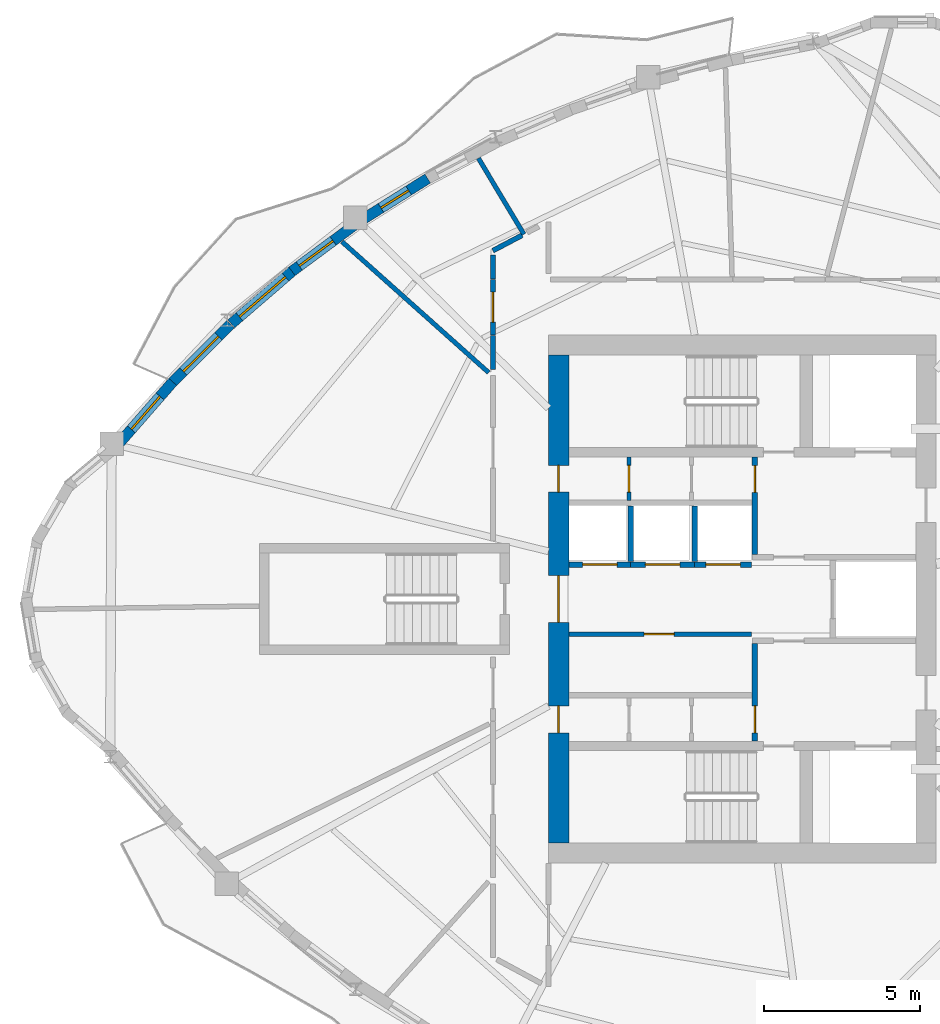
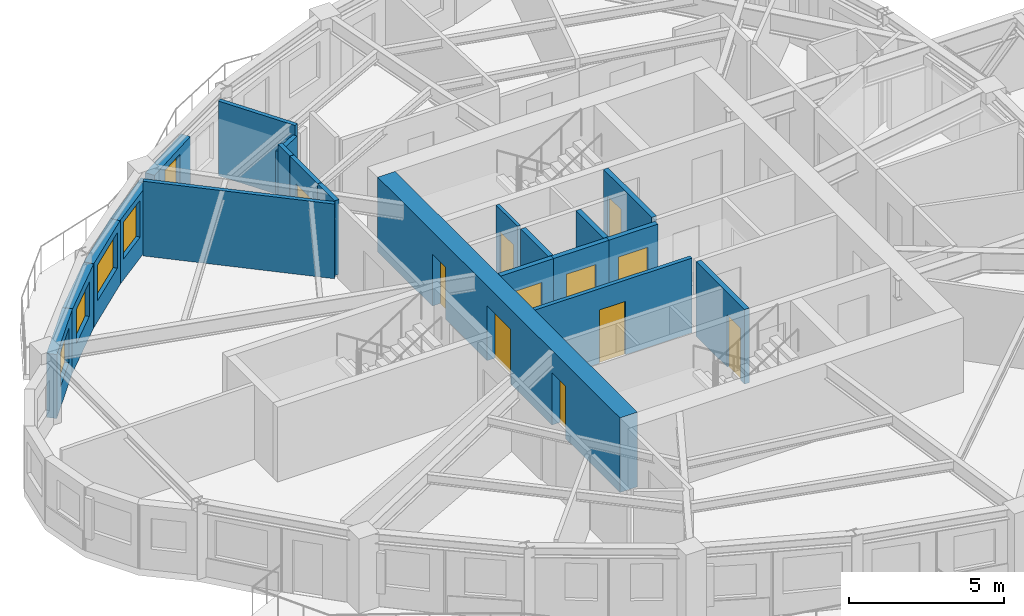
# One storey, part 6 of 13: 21 walls, 11 doors, 5 windows, 16 openings.
"""IFC4 building model written with IfcOpenShell, lengths in metres."""

from ifc_helpers import new_model, si_unit, direction, frame, frame_2d, origin, place, context, subcontext, project, spatial, rectangle, extrude, source, transform, mapped, material, layer, layer_set, type_object, element, fill, save


model = new_model("IFC4")

# Units and contexts
model_context = context("Model", 3, precision=1e-05, world=origin(), true_north=direction((0.0, 1.0)))
body_context = subcontext(model_context, "Body", "Model", "MODEL_VIEW")
ifc_project = project(units=[si_unit("LENGTHUNIT", "METRE"), si_unit("AREAUNIT", "SQUARE_METRE"), si_unit("VOLUMEUNIT", "CUBIC_METRE"), si_unit("PLANEANGLEUNIT", "RADIAN"), si_unit("MASSUNIT", "GRAM", prefix="KILO")], contexts=[model_context])

# Site, building, storey
site_placement = place(None, origin())
site = spatial("IfcSite", under=ifc_project, at=site_placement, CompositionType="ELEMENT")
building_placement = place(site_placement, origin())
building = spatial("IfcBuilding", under=site, at=building_placement, Name="Qafzar Sky-Pleat Residences", CompositionType="ELEMENT")
storey_placement = place(building_placement, frame((0.0, 0.0, 152.199951171875)))
storey = spatial("IfcBuildingStorey", under=building, at=storey_placement, Name="L45", CompositionType="ELEMENT", Elevation=152.199951171875)

# Wall, opening, door
ifc_material_1 = material(Name="Acoustic gypsum plasterboard partition", Category="gypsum")
ifc_layer_1 = layer(ifc_material_1, 0.159912109375)
ifc_layer_set_1 = layer_set([ifc_layer_1], Name="Acoustic gypsum plasterboard partition")
wall_type_1 = type_object("IfcWallType", Name="PART-COR-160", PredefinedType="PARTITIONING", material=ifc_layer_set_1)
wall_1_placement = place(storey_placement, frame((22.3701171875, 34.449951171875, 0.0), z_axis=(0.0, 0.0, 1.0), x_axis=(0.0, 1.0, 0.0)))
wall_1 = element("IfcWall", 1, at=wall_1_placement, inside=storey, type_object=wall_type_1, Name="L45 Partition Wall PART-L45-PW-015", PredefinedType="PARTITIONING", context=body_context, shape_type="SweptSolid", body=[
    extrude(rectangle(XDim=1.780029296875, YDim=0.159912109375, at=frame_2d((0.89013671875, 0.0))), origin(), (0.0, 0.0, 1.0), 2.93505859375),
])
opening_1_placement = place(wall_1_placement, frame((0.409912109375, 0.0, 0.0)))
opening_1 = element("IfcOpeningElement", 2, at=opening_1_placement, cuts=wall_1, Name="Opening ID-06", PredefinedType="OPENING", context=body_context, shape_type="SweptSolid", body=[
    extrude(rectangle(XDim=0.9599609375, YDim=2.10009765625, at=frame_2d((0.47998046875, 1.050048828125))), frame((0.0, 0.08984375, 0.0), z_axis=(0.0, -1.0, 0.0), x_axis=(1.0, 0.0, 0.0)), (0.0, 0.0, 1.0), 0.179931640625),
])
ifc_material_2 = material(Name="Timber-faced fire door", Category="wood")
door_type_1 = type_object("IfcDoorType", Name="DR-STD-960", OperationType="NOTDEFINED", PredefinedType="DOOR", material=ifc_material_2)
shared_shape_1 = source(origin(), body_context, "Body", "SweptSolid", [
    extrude(rectangle(XDim=0.9599609375, YDim=2.10009765625, at=frame_2d((0.47998046875, 1.050048828125))), frame((0.0, 0.02490234375, 0.0), z_axis=(0.0, -1.0, 0.0), x_axis=(1.0, 0.0, 0.0)), (0.0, 0.0, 1.0), 0.050048828125),
])
door_1_placement = place(opening_1_placement, origin())
door_1 = element("IfcDoor", 3, at=door_1_placement, inside=storey, type_object=door_type_1, Name="L45 Communal Kitchen Door", OperationType="SINGLE_SWING_LEFT", OverallHeight=2.10009765625, OverallWidth=0.9599609375, PredefinedType="DOOR", context=body_context, shape_type="MappedRepresentation", body=[
    mapped(shared_shape_1, transform((0.0, 0.0, 0.0), x_axis=(1.0, 0.0, 0.0), y_axis=(0.0, 1.0, 0.0), z_axis=(0.0, 0.0, 1.0), scale=1.0)),
])
fill(opening_1, door_1)

# Walls
wall_2_placement = place(storey_placement, frame((22.3701171875, 33.335693359375, 0.0), z_axis=(0.0, 0.0, 1.0), x_axis=(0.0, 1.0, 0.0)))
element("IfcWall", 4, at=wall_2_placement, inside=storey, type_object=wall_type_1, Name="L45 Partition Wall PART-L45-PW-040", PredefinedType="PARTITIONING", context=body_context, shape_type="SweptSolid", body=[
    extrude(rectangle(XDim=1.099365234375, YDim=0.159912109375, at=frame_2d((0.5498046875, 0.0))), origin(), (0.0, 0.0, 1.0), 2.93505859375),
])
wall_3_placement = place(storey_placement, frame((22.3701171875, 37.14599609375, 0.0), z_axis=(0.0, 0.0, 1.0), x_axis=(0.884530854714, 0.46648168995, 0.0)))
element("IfcWall", 5, at=wall_3_placement, inside=storey, type_object=wall_type_1, Name="L45 Partition Wall PART-L45-PW-041", PredefinedType="PARTITIONING", context=body_context, shape_type="SweptSolid", body=[
    extrude(rectangle(XDim=1.053466796875, YDim=0.159912109375, at=frame_2d((0.52685546875, 0.0))), origin(), (0.0, 0.0, 1.0), 2.54296875),
])
wall_4_placement = place(storey_placement, frame((22.3701171875, 36.2451171875, 0.0), z_axis=(0.0, 0.0, 1.0), x_axis=(0.0, 1.0, 0.0)))
element("IfcWall", 6, at=wall_4_placement, inside=storey, type_object=wall_type_1, Name="L45 Partition Wall PART-L45-PW-044", PredefinedType="PARTITIONING", context=body_context, shape_type="SweptSolid", body=[
    extrude(rectangle(XDim=0.76025390625, YDim=0.159912109375, at=frame_2d((0.380126953125, 0.0))), origin(), (0.0, 0.0, 1.0), 2.93505859375),
])

# Wall, opening, door
ifc_material_3 = material(Name="Concrete blockwork partition", Category="masonry")
ifc_layer_2 = layer(ifc_material_3, 0.179931640625)
ifc_layer_set_2 = layer_set([ifc_layer_2], Name="Concrete blockwork partition")
wall_type_2 = type_object("IfcWallType", Name="PART-SHAFT-180", PredefinedType="PARTITIONING", material=ifc_layer_set_2)
wall_5_placement = place(storey_placement, frame((30.75, 21.4599609375, 0.0), z_axis=(0.0, 0.0, 1.0), x_axis=(0.0, 1.0, 0.0)))
wall_5 = element("IfcWall", 7, at=wall_5_placement, inside=storey, type_object=wall_type_2, Name="L45 Partition Wall PART-L45-FFL1-W", PredefinedType="PARTITIONING", context=body_context, shape_type="SweptSolid", body=[
    extrude(rectangle(XDim=3.110107421875, YDim=0.179931640625, at=frame_2d((1.55517578125, 0.0))), origin(), (0.0, 0.0, 1.0), 2.93505859375),
])
opening_2_placement = place(wall_5_placement, frame((0.260009765625, 0.0, 0.0)))
opening_2 = element("IfcOpeningElement", 8, at=opening_2_placement, cuts=wall_5, Name="Opening ID-09", PredefinedType="OPENING", context=body_context, shape_type="SweptSolid", body=[
    extrude(rectangle(XDim=0.860107421875, YDim=2.050048828125, at=frame_2d((0.43017578125, 1.02490234375))), frame((0.0, 0.10009765625, 0.0), z_axis=(0.0, -1.0, 0.0), x_axis=(1.0, 0.0, 0.0)), (0.0, 0.0, 1.0), 0.199951171875),
])
door_type_2 = type_object("IfcDoorType", Name="DR-SVC-860", OperationType="NOTDEFINED", PredefinedType="DOOR", material=ifc_material_2)
shared_shape_2 = source(origin(), body_context, "Body", "SweptSolid", [
    extrude(rectangle(XDim=0.860107421875, YDim=2.050048828125, at=frame_2d((0.43017578125, 1.02490234375))), frame((0.0, 0.02490234375, 0.0), z_axis=(0.0, -1.0, 0.0), x_axis=(1.0, 0.0, 0.0)), (0.0, 0.0, 1.0), 0.050048828125),
])
door_2_placement = place(opening_2_placement, origin())
door_2 = element("IfcDoor", 9, at=door_2_placement, inside=storey, type_object=door_type_2, Name="L45 South Core Cupboard Door", OperationType="SINGLE_SWING_RIGHT", OverallHeight=2.050048828125, OverallWidth=0.860107421875, PredefinedType="DOOR", context=body_context, shape_type="MappedRepresentation", body=[
    mapped(shared_shape_2, transform((0.0, 0.0, 0.0), x_axis=(1.0, 0.0, 0.0), y_axis=(0.0, 1.0, 0.0), z_axis=(0.0, 0.0, 1.0), scale=1.0)),
])
fill(opening_2, door_2)

wall_6_placement = place(storey_placement, frame((30.75, 27.429931640625, 0.0), z_axis=(0.0, 0.0, 1.0), x_axis=(0.0, 1.0, 0.0)))
wall_6 = element("IfcWall", 10, at=wall_6_placement, inside=storey, type_object=wall_type_2, Name="L45 Partition Wall PART-L45-FFL2-W", PredefinedType="PARTITIONING", context=body_context, shape_type="SweptSolid", body=[
    extrude(rectangle(XDim=3.110107421875, YDim=0.179931640625, at=frame_2d((1.55517578125, 0.0))), origin(), (0.0, 0.0, 1.0), 2.93505859375),
])
opening_3_placement = place(wall_6_placement, frame((1.97998046875, 0.0, 0.0)))
opening_3 = element("IfcOpeningElement", 11, at=opening_3_placement, cuts=wall_6, Name="Opening ID-09", PredefinedType="OPENING", context=body_context, shape_type="SweptSolid", body=[
    extrude(rectangle(XDim=0.860107421875, YDim=2.050048828125, at=frame_2d((0.43017578125, 1.02490234375))), frame((0.0, 0.10009765625, 0.0), z_axis=(0.0, -1.0, 0.0), x_axis=(1.0, 0.0, 0.0)), (0.0, 0.0, 1.0), 0.199951171875),
])
door_3_placement = place(opening_3_placement, origin())
door_3 = element("IfcDoor", 12, at=door_3_placement, inside=storey, type_object=door_type_2, Name="L45 North Core Cupboard Door", OperationType="SINGLE_SWING_RIGHT", OverallHeight=2.050048828125, OverallWidth=0.860107421875, PredefinedType="DOOR", context=body_context, shape_type="MappedRepresentation", body=[
    mapped(shared_shape_2, transform((0.0, 0.0, 0.0), x_axis=(1.0, 0.0, 0.0), y_axis=(0.0, 1.0, 0.0), z_axis=(0.0, 0.0, 1.0), scale=1.0)),
])
fill(opening_3, door_3)

wall_7_placement = place(storey_placement, frame((24.81005859375, 27.10009765625, 0.0), z_axis=(0.0, 0.0, 1.0), x_axis=(1.0, 0.0, 0.0)))
wall_7 = element("IfcWall", 13, at=wall_7_placement, inside=storey, type_object=wall_type_2, Name="L45 Partition Wall PART-L45-P4-S", PredefinedType="PARTITIONING", context=body_context, shape_type="SweptSolid", body=[
    extrude(rectangle(XDim=1.96484375, YDim=0.179931640625, at=frame_2d((0.982421875, 0.0))), origin(), (0.0, 0.0, 1.0), 2.93505859375),
])
opening_4_placement = place(wall_7_placement, frame((0.4326171875, 0.0, 0.0)))
opening_4 = element("IfcOpeningElement", 14, at=opening_4_placement, cuts=wall_7, Name="Opening LD-01", PredefinedType="OPENING", context=body_context, shape_type="SweptSolid", body=[
    extrude(rectangle(XDim=1.10009765625, YDim=2.14990234375, at=frame_2d((0.550048828125, 1.074951171875))), frame((0.0, 0.10009765625, 0.0), z_axis=(0.0, -1.0, 0.0), x_axis=(1.0, 0.0, 0.0)), (0.0, 0.0, 1.0), 0.199951171875),
])
ifc_material_4 = material(Name="Stainless steel sliding landing door", Category="steel")
door_type_3 = type_object("IfcDoorType", Name="DR-LIFT-P", OperationType="DOUBLE_DOOR_SLIDING", PredefinedType="DOOR", material=ifc_material_4)
shared_shape_3 = source(origin(), body_context, "Body", "SweptSolid", [
    extrude(rectangle(XDim=1.10009765625, YDim=2.14990234375, at=frame_2d((0.550048828125, 1.074951171875))), frame((0.0, 0.02490234375, 0.0), z_axis=(0.0, -1.0, 0.0), x_axis=(1.0, 0.0, 0.0)), (0.0, 0.0, 1.0), 0.050048828125),
])
door_4_placement = place(opening_4_placement, origin())
door_4 = element("IfcDoor", 15, at=door_4_placement, inside=storey, type_object=door_type_3, Name="L45 Passenger Lift P4 Landing Door", OperationType="DOUBLE_DOOR_SLIDING", OverallHeight=2.14990234375, OverallWidth=1.10009765625, PredefinedType="DOOR", context=body_context, shape_type="MappedRepresentation", body=[
    mapped(shared_shape_3, transform((0.0, 0.0, 0.0), x_axis=(1.0, 0.0, 0.0), y_axis=(0.0, 1.0, 0.0), z_axis=(0.0, 0.0, 1.0), scale=1.0)),
])
fill(opening_4, door_4)

wall_8_placement = place(storey_placement, frame((26.77490234375, 27.10009765625, 0.0), z_axis=(0.0, 0.0, 1.0), x_axis=(1.0, 0.0, 0.0)))
wall_8 = element("IfcWall", 16, at=wall_8_placement, inside=storey, type_object=wall_type_2, Name="L45 Partition Wall PART-L45-P5-S", PredefinedType="PARTITIONING", context=body_context, shape_type="SweptSolid", body=[
    extrude(rectangle(XDim=2.050048828125, YDim=0.179931640625, at=frame_2d((1.02490234375, 0.0))), origin(), (0.0, 0.0, 1.0), 2.93505859375),
])
opening_5_placement = place(wall_8_placement, frame((0.47509765625, 0.0, 0.0)))
opening_5 = element("IfcOpeningElement", 17, at=opening_5_placement, cuts=wall_8, Name="Opening LD-01", PredefinedType="OPENING", context=body_context, shape_type="SweptSolid", body=[
    extrude(rectangle(XDim=1.10009765625, YDim=2.14990234375, at=frame_2d((0.550048828125, 1.074951171875))), frame((0.0, 0.10009765625, 0.0), z_axis=(0.0, -1.0, 0.0), x_axis=(1.0, 0.0, 0.0)), (0.0, 0.0, 1.0), 0.199951171875),
])
door_5_placement = place(opening_5_placement, origin())
door_5 = element("IfcDoor", 18, at=door_5_placement, inside=storey, type_object=door_type_3, Name="L45 Passenger Lift P5 Landing Door", OperationType="DOUBLE_DOOR_SLIDING", OverallHeight=2.14990234375, OverallWidth=1.10009765625, PredefinedType="DOOR", context=body_context, shape_type="MappedRepresentation", body=[
    mapped(shared_shape_3, transform((0.0, 0.0, 0.0), x_axis=(1.0, 0.0, 0.0), y_axis=(0.0, 1.0, 0.0), z_axis=(0.0, 0.0, 1.0), scale=1.0)),
])
fill(opening_5, door_5)

# Wall
wall_9_placement = place(storey_placement, frame((26.77490234375, 27.199951171875, 0.0), z_axis=(0.0, 0.0, 1.0), x_axis=(0.0, 1.0, 0.0)))
element("IfcWall", 19, at=wall_9_placement, inside=storey, type_object=wall_type_2, Name="L45 Partition Wall PART-L45-P46-DIV-1", PredefinedType="PARTITIONING", context=body_context, shape_type="SweptSolid", body=[
    extrude(rectangle(XDim=1.780029296875, YDim=0.179931640625, at=frame_2d((0.89013671875, 0.0))), origin(), (0.0, 0.0, 1.0), 2.93505859375),
])

# Wall, opening, door
wall_10_placement = place(storey_placement, frame((28.824951171875, 27.10009765625, 0.0), z_axis=(0.0, 0.0, 1.0), x_axis=(1.0, 0.0, 0.0)))
wall_10 = element("IfcWall", 20, at=wall_10_placement, inside=storey, type_object=wall_type_2, Name="L45 Partition Wall PART-L45-P6-S", PredefinedType="PARTITIONING", context=body_context, shape_type="SweptSolid", body=[
    extrude(rectangle(XDim=1.824951171875, YDim=0.179931640625, at=frame_2d((0.91259765625, 0.0))), origin(), (0.0, 0.0, 1.0), 2.93505859375),
])
opening_6_placement = place(wall_10_placement, frame((0.362548828125, 0.0, 0.0)))
opening_6 = element("IfcOpeningElement", 21, at=opening_6_placement, cuts=wall_10, Name="Opening LD-01", PredefinedType="OPENING", context=body_context, shape_type="SweptSolid", body=[
    extrude(rectangle(XDim=1.10009765625, YDim=2.14990234375, at=frame_2d((0.550048828125, 1.074951171875))), frame((0.0, 0.10009765625, 0.0), z_axis=(0.0, -1.0, 0.0), x_axis=(1.0, 0.0, 0.0)), (0.0, 0.0, 1.0), 0.199951171875),
])
door_6_placement = place(opening_6_placement, origin())
door_6 = element("IfcDoor", 22, at=door_6_placement, inside=storey, type_object=door_type_3, Name="L45 Passenger Lift P6 Landing Door", OperationType="DOUBLE_DOOR_SLIDING", OverallHeight=2.14990234375, OverallWidth=1.10009765625, PredefinedType="DOOR", context=body_context, shape_type="MappedRepresentation", body=[
    mapped(shared_shape_3, transform((0.0, 0.0, 0.0), x_axis=(1.0, 0.0, 0.0), y_axis=(0.0, 1.0, 0.0), z_axis=(0.0, 0.0, 1.0), scale=1.0)),
])
fill(opening_6, door_6)

# Wall
wall_11_placement = place(storey_placement, frame((28.824951171875, 27.199951171875, 0.0), z_axis=(0.0, 0.0, 1.0), x_axis=(0.0, 1.0, 0.0)))
element("IfcWall", 23, at=wall_11_placement, inside=storey, type_object=wall_type_2, Name="L45 Partition Wall PART-L45-P46-DIV-2", PredefinedType="PARTITIONING", context=body_context, shape_type="SweptSolid", body=[
    extrude(rectangle(XDim=1.780029296875, YDim=0.179931640625, at=frame_2d((0.89013671875, 0.0))), origin(), (0.0, 0.0, 1.0), 2.93505859375),
])

# Wall, opening, door
ifc_material_5 = material(Name="Gypsum plasterboard partition", Category="gypsum")
ifc_layer_3 = layer(ifc_material_5, 0.114990234375)
ifc_layer_set_3 = layer_set([ifc_layer_3], Name="Gypsum plasterboard partition")
wall_type_3 = type_object("IfcWallType", Name="PART-SVC-115", PredefinedType="PARTITIONING", material=ifc_layer_set_3)
wall_12_placement = place(storey_placement, frame((26.72509765625, 29.159912109375, 0.0), z_axis=(0.0, 0.0, 1.0), x_axis=(0.0, 1.0, 0.0)))
wall_12 = element("IfcWall", 24, at=wall_12_placement, inside=storey, type_object=wall_type_3, Name="L45 Partition Wall PART-L45-KC-NW-1", PredefinedType="PARTITIONING", context=body_context, shape_type="SweptSolid", body=[
    extrude(rectangle(XDim=1.380126953125, YDim=0.114990234375, at=frame_2d((0.68994140625, 0.0))), origin(), (0.0, 0.0, 1.0), 2.93505859375),
])
opening_7_placement = place(wall_12_placement, frame((0.260009765625, 0.0, 0.0)))
opening_7 = element("IfcOpeningElement", 25, at=opening_7_placement, cuts=wall_12, Name="Opening ID-09", PredefinedType="OPENING", context=body_context, shape_type="SweptSolid", body=[
    extrude(rectangle(XDim=0.860107421875, YDim=2.050048828125, at=frame_2d((0.43017578125, 1.02490234375))), frame((0.0, 0.0673828125, 0.0), z_axis=(0.0, -1.0, 0.0), x_axis=(1.0, 0.0, 0.0)), (0.0, 0.0, 1.0), 0.135009765625),
])
door_7_placement = place(opening_7_placement, origin())
door_7 = element("IfcDoor", 26, at=door_7_placement, inside=storey, type_object=door_type_2, Name="L45 Core North Cupboard 1 Door", OperationType="SINGLE_SWING_RIGHT", OverallHeight=2.050048828125, OverallWidth=0.860107421875, PredefinedType="DOOR", context=body_context, shape_type="MappedRepresentation", body=[
    mapped(shared_shape_2, transform((0.0, 0.0, 0.0), x_axis=(1.0, 0.0, 0.0), y_axis=(0.0, 1.0, 0.0), z_axis=(0.0, 0.0, 1.0), scale=1.0)),
])
fill(opening_7, door_7)

ifc_layer_4 = layer(ifc_material_1, 0.14501953125)
ifc_layer_set_4 = layer_set([ifc_layer_4], Name="Acoustic gypsum plasterboard partition")
wall_type_4 = type_object("IfcWallType", Name="PART-UNIT-145", PredefinedType="PARTITIONING", material=ifc_layer_set_4)
wall_13_placement = place(storey_placement, frame((24.81005859375, 24.8798828125, 0.0), z_axis=(0.0, 0.0, 1.0), x_axis=(1.0, 0.0, 0.0)))
wall_13 = element("IfcWall", 27, at=wall_13_placement, inside=storey, type_object=wall_type_4, Name="L45 Partition Wall PART-L45-RECLAIM-N", PredefinedType="PARTITIONING", context=body_context, shape_type="SweptSolid", body=[
    extrude(rectangle(XDim=5.83984375, YDim=0.14501953125, at=frame_2d((2.919921875, 0.0))), origin(), (0.0, 0.0, 1.0), 2.93505859375),
])
opening_8_placement = place(wall_13_placement, frame((2.39990234375, 0.0, 0.0)))
opening_8 = element("IfcOpeningElement", 28, at=opening_8_placement, cuts=wall_13, Name="Opening ID-06", PredefinedType="OPENING", context=body_context, shape_type="SweptSolid", body=[
    extrude(rectangle(XDim=0.9599609375, YDim=2.10009765625, at=frame_2d((0.47998046875, 1.050048828125))), frame((0.0, 0.08251953125, 0.0), z_axis=(0.0, -1.0, 0.0), x_axis=(1.0, 0.0, 0.0)), (0.0, 0.0, 1.0), 0.1650390625),
])
door_8_placement = place(opening_8_placement, origin())
door_8 = element("IfcDoor", 29, at=door_8_placement, inside=storey, type_object=door_type_1, Name="L45 Reclaimed Resident Laundry Room Door", OperationType="SINGLE_SWING_RIGHT", OverallHeight=2.10009765625, OverallWidth=0.9599609375, PredefinedType="DOOR", context=body_context, shape_type="MappedRepresentation", body=[
    mapped(shared_shape_1, transform((0.0, 0.0, 0.0), x_axis=(1.0, 0.0, 0.0), y_axis=(0.0, 1.0, 0.0), z_axis=(0.0, 0.0, 1.0), scale=1.0)),
])
fill(opening_8, door_8)

# Walls
wall_14_placement = place(storey_placement, frame((17.544921875, 37.431640625, 0.0), z_axis=(0.0, 0.0, 1.0), x_axis=(0.745965905636, -0.665984134668, 0.0)))
element("IfcWall", 30, at=wall_14_placement, inside=storey, type_object=wall_type_4, Name="L45 Partition Wall PART-L45-PW-021", PredefinedType="PARTITIONING", context=body_context, shape_type="SweptSolid", body=[
    extrude(rectangle(XDim=6.2880859375, YDim=0.14501953125, at=frame_2d((3.14404296875, 0.0))), origin(), (0.0, 0.0, 1.0), 2.93505859375),
])
wall_15_placement = place(storey_placement, frame((21.908447265625, 40.10009765625, 0.0), z_axis=(0.0, 0.0, 1.0), x_axis=(0.513582752497, -0.85804006686, 0.0)))
element("IfcWall", 31, at=wall_15_placement, inside=storey, type_object=wall_type_4, Name="L45 Partition Wall PART-L45-PW-026", PredefinedType="PARTITIONING", context=body_context, shape_type="SweptSolid", body=[
    extrude(rectangle(XDim=2.832275390625, YDim=0.14501953125, at=frame_2d((1.416015625, 0.0))), origin(), (0.0, 0.0, 1.0), 2.93505859375),
])

# Wall, opening, window
ifc_material_6 = material(Name="Precast concrete C40/50 with honed Riyadh limestone", Category="concrete")
ifc_layer_5 = layer(ifc_material_6, 0.340087890625)
ifc_layer_set_5 = layer_set([ifc_layer_5], Name="Precast concrete C40/50 with honed Riyadh limestone")
wall_type_5 = type_object("IfcWallType", Name="WALL-EXT-340", PredefinedType="SOLIDWALL", material=ifc_layer_set_5)
wall_16_placement = place(storey_placement, frame((20.284423828125, 39.452392578125, 0.0), z_axis=(0.0, 0.0, 1.0), x_axis=(-0.846415587119, -0.532522913951, 0.0)))
wall_16 = element("IfcWall", 32, at=wall_16_placement, inside=storey, type_object=wall_type_5, Name="L45 Limestone Facade Wall 44", PredefinedType="SOLIDWALL", context=body_context, shape_type="SweptSolid", body=[
    extrude(rectangle(XDim=2.4755859375, YDim=0.340087890625, at=frame_2d((1.23779296875, 0.0))), origin(), (0.0, 0.0, 1.0), 2.51513671875),
])
opening_9_placement = place(wall_16_placement, frame((0.718017578125, 0.0, 0.820068359375)))
opening_9 = element("IfcOpeningElement", 33, at=opening_9_placement, cuts=wall_16, Name="Opening WN-06", PredefinedType="OPENING", context=body_context, shape_type="SweptSolid", body=[
    extrude(rectangle(XDim=1.050048828125, YDim=1.449951171875, at=frame_2d((0.52490234375, 0.72509765625))), frame((0.0, 0.18017578125, 0.0), z_axis=(0.0, -1.0, 0.0), x_axis=(1.0, 0.0, 0.0)), (0.0, 0.0, 1.0), 0.360107421875),
])
ifc_material_7 = material(Name="Solar-control low-E glass in bronze aluminium frame", Category="glass")
window_type_1 = type_object("IfcWindowType", Name="WIN-06", PartitioningType="SINGLE_PANEL", PredefinedType="WINDOW", material=ifc_material_7)
shared_shape_4 = source(origin(), body_context, "Body", "SweptSolid", [
    extrude(rectangle(XDim=1.050048828125, YDim=1.449951171875, at=frame_2d((0.52490234375, 0.72509765625))), frame((0.0, 0.030029296875, 0.0), z_axis=(0.0, -1.0, 0.0), x_axis=(1.0, 0.0, 0.0)), (0.0, 0.0, 1.0), 0.06005859375),
])
window_1_placement = place(opening_9_placement, origin())
window_1 = element("IfcWindow", 34, at=window_1_placement, inside=storey, type_object=window_type_1, Name="L45 Punched Facade Window 44", OverallHeight=1.449951171875, OverallWidth=1.050048828125, PartitioningType="SINGLE_PANEL", PredefinedType="WINDOW", context=body_context, shape_type="MappedRepresentation", body=[
    mapped(shared_shape_4, transform((0.0, 0.0, 0.0), x_axis=(1.0, 0.0, 0.0), y_axis=(0.0, 1.0, 0.0), z_axis=(0.0, 0.0, 1.0), scale=1.0)),
])
fill(opening_9, window_1)

wall_17_placement = place(storey_placement, frame((17.94384765625, 37.966552734375, 0.0), z_axis=(0.0, 0.0, 1.0), x_axis=(-0.803795025682, -0.594906342788, 0.0)))
wall_17 = element("IfcWall", 35, at=wall_17_placement, inside=storey, type_object=wall_type_5, Name="L45 Limestone Facade Wall 45", PredefinedType="SOLIDWALL", context=body_context, shape_type="SweptSolid", body=[
    extrude(rectangle(XDim=2.49072265625, YDim=0.340087890625, at=frame_2d((1.245361328125, 0.0))), origin(), (0.0, 0.0, 1.0), 2.51513671875),
])
opening_10_placement = place(wall_17_placement, frame((0.853271484375, 0.0, 0.820068359375)))
opening_10 = element("IfcOpeningElement", 36, at=opening_10_placement, cuts=wall_17, Name="Opening WN-04", PredefinedType="OPENING", context=body_context, shape_type="SweptSolid", body=[
    extrude(rectangle(XDim=1.35009765625, YDim=1.449951171875, at=frame_2d((0.675048828125, 0.72509765625))), frame((0.0, 0.18017578125, 0.0), z_axis=(0.0, -1.0, 0.0), x_axis=(1.0, 0.0, 0.0)), (0.0, 0.0, 1.0), 0.360107421875),
])
window_type_2 = type_object("IfcWindowType", Name="WIN-04", PartitioningType="SINGLE_PANEL", PredefinedType="WINDOW", material=ifc_material_7)
shared_shape_5 = source(origin(), body_context, "Body", "SweptSolid", [
    extrude(rectangle(XDim=1.35009765625, YDim=1.449951171875, at=frame_2d((0.675048828125, 0.72509765625))), frame((0.0, 0.030029296875, 0.0), z_axis=(0.0, -1.0, 0.0), x_axis=(1.0, 0.0, 0.0)), (0.0, 0.0, 1.0), 0.06005859375),
])
window_2_placement = place(opening_10_placement, origin())
window_2 = element("IfcWindow", 37, at=window_2_placement, inside=storey, type_object=window_type_2, Name="L45 Punched Facade Window 45-2", OverallHeight=1.449951171875, OverallWidth=1.35009765625, PartitioningType="SINGLE_PANEL", PredefinedType="WINDOW", context=body_context, shape_type="MappedRepresentation", body=[
    mapped(shared_shape_5, transform((0.0, 0.0, 0.0), x_axis=(1.0, 0.0, 0.0), y_axis=(0.0, 1.0, 0.0), z_axis=(0.0, 0.0, 1.0), scale=1.0)),
])
fill(opening_10, window_2)

wall_18_placement = place(storey_placement, frame((16.010986328125, 36.540283203125, 0.0), z_axis=(0.0, 0.0, 1.0), x_axis=(-0.757442887734, -0.652901425807, 0.0)))
wall_18 = element("IfcWall", 38, at=wall_18_placement, inside=storey, type_object=wall_type_5, Name="L45 Limestone Facade Wall 46", PredefinedType="SOLIDWALL", context=body_context, shape_type="SweptSolid", body=[
    extrude(rectangle(XDim=2.6552734375, YDim=0.340087890625, at=frame_2d((1.32763671875, 0.0))), origin(), (0.0, 0.0, 1.0), 2.51513671875),
])
opening_11_placement = place(wall_18_placement, frame((0.362548828125, 0.0, 0.820068359375)))
opening_11 = element("IfcOpeningElement", 39, at=opening_11_placement, cuts=wall_18, Name="Opening WN-08", PredefinedType="OPENING", context=body_context, shape_type="SweptSolid", body=[
    extrude(rectangle(XDim=1.949951171875, YDim=1.39990234375, at=frame_2d((0.97509765625, 0.699951171875))), frame((0.0, 0.18017578125, 0.0), z_axis=(0.0, -1.0, 0.0), x_axis=(1.0, 0.0, 0.0)), (0.0, 0.0, 1.0), 0.360107421875),
])
window_type_3 = type_object("IfcWindowType", Name="WIN-08", PartitioningType="DOUBLE_PANEL_VERTICAL", PredefinedType="WINDOW", material=ifc_material_7)
shared_shape_6 = source(origin(), body_context, "Body", "SweptSolid", [
    extrude(rectangle(XDim=1.949951171875, YDim=1.39990234375, at=frame_2d((0.97509765625, 0.699951171875))), frame((0.0, 0.030029296875, 0.0), z_axis=(0.0, -1.0, 0.0), x_axis=(1.0, 0.0, 0.0)), (0.0, 0.0, 1.0), 0.06005859375),
])
window_3_placement = place(opening_11_placement, origin())
window_3 = element("IfcWindow", 40, at=window_3_placement, inside=storey, type_object=window_type_3, Name="L45 Punched Facade Window 46", OverallHeight=1.39990234375, OverallWidth=1.949951171875, PartitioningType="SINGLE_PANEL", PredefinedType="WINDOW", context=body_context, shape_type="MappedRepresentation", body=[
    mapped(shared_shape_6, transform((0.0, 0.0, 0.0), x_axis=(1.0, 0.0, 0.0), y_axis=(0.0, 1.0, 0.0), z_axis=(0.0, 0.0, 1.0), scale=1.0)),
])
fill(opening_11, window_3)

wall_19_placement = place(storey_placement, frame((13.9794921875, 34.787841796875, 0.0), z_axis=(0.0, 0.0, 1.0), x_axis=(-0.708417113386, -0.705794016312, 0.0)))
wall_19 = element("IfcWall", 41, at=wall_19_placement, inside=storey, type_object=wall_type_5, Name="L45 Limestone Facade Wall 47", PredefinedType="SOLIDWALL", context=body_context, shape_type="SweptSolid", body=[
    extrude(rectangle(XDim=2.69921875, YDim=0.340087890625, at=frame_2d((1.349609375, 0.0))), origin(), (0.0, 0.0, 1.0), 2.51513671875),
])
opening_12_placement = place(wall_19_placement, frame((0.53955078125, 0.0, 0.820068359375)))
opening_12 = element("IfcOpeningElement", 42, at=opening_12_placement, cuts=wall_19, Name="Opening WN-09", PredefinedType="OPENING", context=body_context, shape_type="SweptSolid", body=[
    extrude(rectangle(XDim=1.60009765625, YDim=1.35009765625, at=frame_2d((0.800048828125, 0.675048828125))), frame((0.0, 0.18017578125, 0.0), z_axis=(0.0, -1.0, 0.0), x_axis=(1.0, 0.0, 0.0)), (0.0, 0.0, 1.0), 0.360107421875),
])
window_type_4 = type_object("IfcWindowType", Name="WIN-09", PartitioningType="DOUBLE_PANEL_VERTICAL", PredefinedType="WINDOW", material=ifc_material_7)
shared_shape_7 = source(origin(), body_context, "Body", "SweptSolid", [
    extrude(rectangle(XDim=1.60009765625, YDim=1.35009765625, at=frame_2d((0.800048828125, 0.675048828125))), frame((0.0, 0.030029296875, 0.0), z_axis=(0.0, -1.0, 0.0), x_axis=(1.0, 0.0, 0.0)), (0.0, 0.0, 1.0), 0.06005859375),
])
window_4_placement = place(opening_12_placement, origin())
window_4 = element("IfcWindow", 43, at=window_4_placement, inside=storey, type_object=window_type_4, Name="L45 Punched Facade Window 47", OverallHeight=1.35009765625, OverallWidth=1.60009765625, PartitioningType="SINGLE_PANEL", PredefinedType="WINDOW", context=body_context, shape_type="MappedRepresentation", body=[
    mapped(shared_shape_7, transform((0.0, 0.0, 0.0), x_axis=(1.0, 0.0, 0.0), y_axis=(0.0, 1.0, 0.0), z_axis=(0.0, 0.0, 1.0), scale=1.0)),
])
fill(opening_12, window_4)

wall_20_placement = place(storey_placement, frame((12.12744140625, 32.947021484375, 0.0), z_axis=(0.0, 0.0, 1.0), x_axis=(-0.657607305641, -0.753360890655, 0.0)))
wall_20 = element("IfcWall", 44, at=wall_20_placement, inside=storey, type_object=wall_type_5, Name="L45 Limestone Facade Wall 48", PredefinedType="SOLIDWALL", context=body_context, shape_type="SweptSolid", body=[
    extrude(rectangle(XDim=2.62109375, YDim=0.340087890625, at=frame_2d((1.310546875, 0.0))), origin(), (0.0, 0.0, 1.0), 2.51513671875),
])
opening_13_placement = place(wall_20_placement, frame((0.615478515625, 0.0, 0.820068359375)))
opening_13 = element("IfcOpeningElement", 45, at=opening_13_placement, cuts=wall_20, Name="Opening WN-10", PredefinedType="OPENING", context=body_context, shape_type="SweptSolid", body=[
    extrude(rectangle(XDim=1.39990234375, YDim=1.35009765625, at=frame_2d((0.699951171875, 0.675048828125))), frame((0.0, 0.18017578125, 0.0), z_axis=(0.0, -1.0, 0.0), x_axis=(1.0, 0.0, 0.0)), (0.0, 0.0, 1.0), 0.360107421875),
])
window_type_5 = type_object("IfcWindowType", Name="WIN-10", PartitioningType="SINGLE_PANEL", PredefinedType="WINDOW", material=ifc_material_7)
shared_shape_8 = source(origin(), body_context, "Body", "SweptSolid", [
    extrude(rectangle(XDim=1.39990234375, YDim=1.35009765625, at=frame_2d((0.699951171875, 0.675048828125))), frame((0.0, 0.030029296875, 0.0), z_axis=(0.0, -1.0, 0.0), x_axis=(1.0, 0.0, 0.0)), (0.0, 0.0, 1.0), 0.06005859375),
])
window_5_placement = place(opening_13_placement, origin())
window_5 = element("IfcWindow", 46, at=window_5_placement, inside=storey, type_object=window_type_5, Name="L45 Punched Facade Window 48", OverallHeight=1.35009765625, OverallWidth=1.39990234375, PartitioningType="SINGLE_PANEL", PredefinedType="WINDOW", context=body_context, shape_type="MappedRepresentation", body=[
    mapped(shared_shape_8, transform((0.0, 0.0, 0.0), x_axis=(1.0, 0.0, 0.0), y_axis=(0.0, 1.0, 0.0), z_axis=(0.0, 0.0, 1.0), scale=1.0)),
])
fill(opening_13, window_5)

# Wall, openings, doors
ifc_material_8 = material(Name="Concrete C60/75", Category="concrete")
ifc_layer_6 = layer(ifc_material_8, 0.64990234375)
ifc_layer_set_6 = layer_set([ifc_layer_6], Name="Concrete C60/75")
wall_type_6 = type_object("IfcWallType", Name="WALL-SHEAR-650", PredefinedType="SHEAR", material=ifc_layer_set_6)
wall_21_placement = place(storey_placement, frame((24.47509765625, 33.800048828125, 0.0), z_axis=(0.0, 0.0, 1.0), x_axis=(0.0, -1.0, 0.0)))
wall_21 = element("IfcWall", 47, at=wall_21_placement, inside=storey, type_object=wall_type_6, Name="L45 CORE wall W", PredefinedType="SHEAR", context=body_context, shape_type="SweptSolid", body=[
    extrude(rectangle(XDim=15.60009765625, YDim=0.64990234375, at=frame_2d((7.800048828125, 0.0))), origin(), (0.0, 0.0, 1.0), 2.93505859375),
])
opening_14_placement = place(wall_21_placement, frame((7.050048828125, 0.0, 0.0)))
opening_14 = element("IfcOpeningElement", 48, at=opening_14_placement, cuts=wall_21, Name="Opening ID-03", PredefinedType="OPENING", context=body_context, shape_type="SweptSolid", body=[
    extrude(rectangle(XDim=1.5, YDim=2.14990234375, at=frame_2d((0.75, 1.074951171875))), frame((0.0, 0.3349609375, 0.0), z_axis=(0.0, -1.0, 0.0), x_axis=(1.0, 0.0, 0.0)), (0.0, 0.0, 1.0), 0.669921875),
])
opening_15_placement = place(wall_21_placement, frame((3.52001953125, 0.0, 0.0)))
opening_15 = element("IfcOpeningElement", 49, at=opening_15_placement, cuts=wall_21, Name="Opening ID-09", PredefinedType="OPENING", context=body_context, shape_type="SweptSolid", body=[
    extrude(rectangle(XDim=0.860107421875, YDim=2.050048828125, at=frame_2d((0.43017578125, 1.02490234375))), frame((0.0, 0.3349609375, 0.0), z_axis=(0.0, -1.0, 0.0), x_axis=(1.0, 0.0, 0.0)), (0.0, 0.0, 1.0), 0.669921875),
])
opening_16_placement = place(wall_21_placement, frame((11.219970703125, 0.0, 0.0)))
opening_16 = element("IfcOpeningElement", 50, at=opening_16_placement, cuts=wall_21, Name="Opening ID-09", PredefinedType="OPENING", context=body_context, shape_type="SweptSolid", body=[
    extrude(rectangle(XDim=0.860107421875, YDim=2.050048828125, at=frame_2d((0.43017578125, 1.02490234375))), frame((0.0, 0.3349609375, 0.0), z_axis=(0.0, -1.0, 0.0), x_axis=(1.0, 0.0, 0.0)), (0.0, 0.0, 1.0), 0.669921875),
])
door_type_4 = type_object("IfcDoorType", Name="DR-COR-1500", OperationType="DOUBLE_DOOR_SINGLE_SWING", PredefinedType="DOOR", material=ifc_material_2)
shared_shape_9 = source(origin(), body_context, "Body", "SweptSolid", [
    extrude(rectangle(XDim=1.5, YDim=2.14990234375, at=frame_2d((0.75, 1.074951171875))), frame((0.0, 0.02490234375, 0.0), z_axis=(0.0, -1.0, 0.0), x_axis=(1.0, 0.0, 0.0)), (0.0, 0.0, 1.0), 0.050048828125),
])
door_9_placement = place(opening_14_placement, origin())
door_9 = element("IfcDoor", 51, at=door_9_placement, inside=storey, type_object=door_type_4, Name="L45 Lift Lobby West Double Door", OperationType="DOUBLE_DOOR_SINGLE_SWING", OverallHeight=2.14990234375, OverallWidth=1.5, PredefinedType="DOOR", context=body_context, shape_type="MappedRepresentation", body=[
    mapped(shared_shape_9, transform((0.0, 0.0, 0.0), x_axis=(1.0, 0.0, 0.0), y_axis=(0.0, 1.0, 0.0), z_axis=(0.0, 0.0, 1.0), scale=1.0)),
])
fill(opening_14, door_9)
door_10_placement = place(opening_15_placement, origin())
door_10 = element("IfcDoor", 52, at=door_10_placement, inside=storey, type_object=door_type_2, Name="L45 Core North-West Service Door", OperationType="SINGLE_SWING_RIGHT", OverallHeight=2.050048828125, OverallWidth=0.860107421875, PredefinedType="DOOR", context=body_context, shape_type="MappedRepresentation", body=[
    mapped(shared_shape_2, transform((0.0, 0.0, 0.0), x_axis=(1.0, 0.0, 0.0), y_axis=(0.0, 1.0, 0.0), z_axis=(0.0, 0.0, 1.0), scale=1.0)),
])
fill(opening_15, door_10)
door_11_placement = place(opening_16_placement, origin())
door_11 = element("IfcDoor", 53, at=door_11_placement, inside=storey, type_object=door_type_2, Name="L45 Core South-West Service Door", OperationType="SINGLE_SWING_LEFT", OverallHeight=2.050048828125, OverallWidth=0.860107421875, PredefinedType="DOOR", context=body_context, shape_type="MappedRepresentation", body=[
    mapped(shared_shape_2, transform((0.0, 0.0, 0.0), x_axis=(1.0, 0.0, 0.0), y_axis=(0.0, 1.0, 0.0), z_axis=(0.0, 0.0, 1.0), scale=1.0)),
])
fill(opening_16, door_11)

save(model, "model.ifc")
